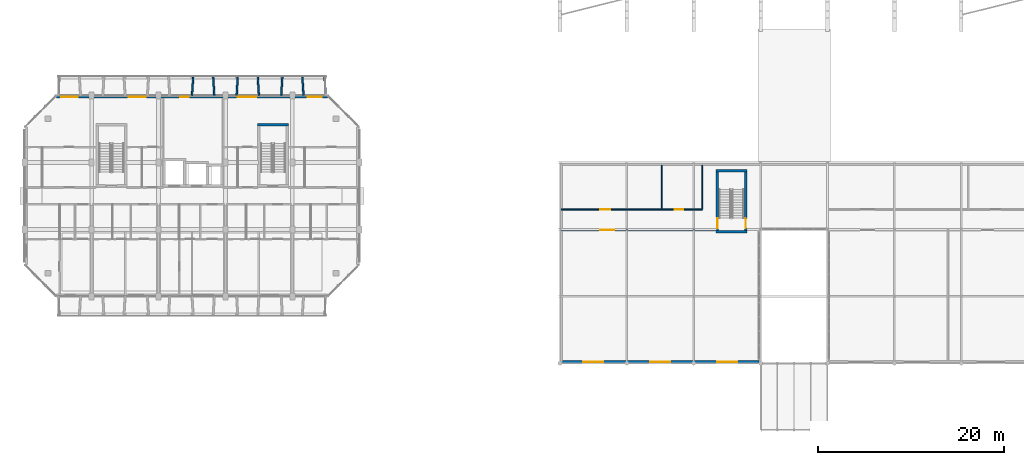
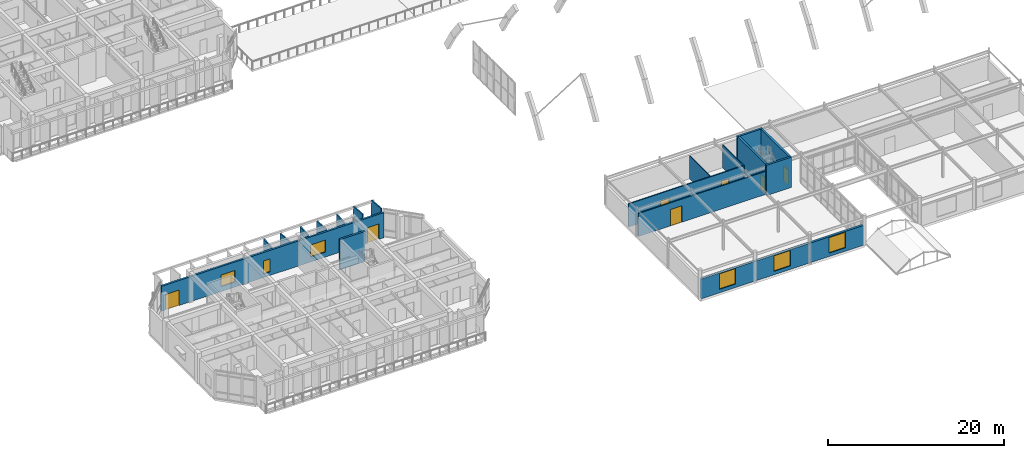
# One storey, part 49 of 85: 18 walls, 7 doors, 6 windows, 13 openings.
"""IFC4 building model written with IfcOpenShell, lengths in metres."""

from ifc_helpers import new_model, si_unit, direction, frame, frame_2d, origin, place, context, subcontext, project, spatial, rectangle, extrude, material, layer, layer_set, type_object, element, fill, save


model = new_model("IFC4")

# Units and contexts
model_context = context("Model", 3, precision=1e-05, world=origin(), true_north=direction((0.0, 1.0)))
body_context = subcontext(model_context, "Body", "Model", "MODEL_VIEW")
ifc_project = project(units=[si_unit("LENGTHUNIT", "METRE"), si_unit("AREAUNIT", "SQUARE_METRE"), si_unit("VOLUMEUNIT", "CUBIC_METRE"), si_unit("PLANEANGLEUNIT", "RADIAN"), si_unit("MASSUNIT", "GRAM", prefix="KILO")], contexts=[model_context])

# Site, building, storey
site_placement = place(None, origin())
site = spatial("IfcSite", under=ifc_project, at=site_placement, CompositionType="ELEMENT")
building_placement = place(site_placement, origin())
building = spatial("IfcBuilding", under=site, at=building_placement, Name="Ochrevale Crest", CompositionType="ELEMENT")
storey_placement = place(building_placement, frame((0.0, 0.0, 4.5)))
storey = spatial("IfcBuildingStorey", under=building, at=storey_placement, Name="L01", CompositionType="ELEMENT", Elevation=4.5)

# Wall, opening, door
ifc_material_1 = material(Name="Gypsum plasterboard", Category="gypsum")
ifc_layer_1 = layer(ifc_material_1, 0.139892578125)
ifc_layer_set_1 = layer_set([ifc_layer_1], Name="Gypsum plasterboard")
wall_type_1 = type_object("IfcWallType", Name="WL-COR-140", PredefinedType="PARTITIONING", material=ifc_layer_set_1)
wall_1_placement = place(storey_placement, frame((57.739990234375, 21.550048828125, 0.0), z_axis=(0.0, 0.0, 1.0), x_axis=(1.0, 0.0, 0.0)))
wall_1 = element("IfcWall", 1, at=wall_1_placement, inside=storey, type_object=wall_type_1, Name="Lounge north wall", PredefinedType="PARTITIONING", context=body_context, shape_type="SweptSolid", body=[
    extrude(rectangle(XDim=16.7099609375, YDim=0.139892578125, at=frame_2d((8.35498046875, 0.0))), origin(), (0.0, 0.0, 1.0), 3.199951171875),
])
opening_1_placement = place(wall_1_placement, frame((4.199951171875, 0.0, 0.0)))
opening_1 = element("IfcOpeningElement", 2, at=opening_1_placement, cuts=wall_1, Name="Opening ID11", PredefinedType="OPENING", context=body_context, shape_type="SweptSolid", body=[
    extrude(rectangle(XDim=1.5, YDim=2.280029296875, at=frame_2d((0.75, 1.14013671875))), frame((0.0, 0.080078125, 0.0), z_axis=(0.0, -1.0, 0.0), x_axis=(1.0, 0.0, 0.0)), (0.0, 0.0, 1.0), 0.159912109375),
])
ifc_material_2 = material(Name="Solid-core FSC hardwood", Category="wood")
door_type_1 = type_object("IfcDoorType", Name="DR-INT-1500", OperationType="NOTDEFINED", PredefinedType="DOOR", material=ifc_material_2)
door_1_placement = place(opening_1_placement, origin())
door_1 = element("IfcDoor", 3, at=door_1_placement, inside=storey, type_object=door_type_1, Name="Residents Lounge door", OperationType="DOUBLE_DOOR_SINGLE_SWING", OverallHeight=2.280029296875, OverallWidth=1.5, PredefinedType="DOOR", context=body_context, shape_type="SweptSolid", body=[
    extrude(rectangle(XDim=1.5, YDim=2.280029296875, at=frame_2d((0.75, 1.14013671875))), frame((0.0, 0.02490234375, 0.0), z_axis=(0.0, -1.0, 0.0), x_axis=(1.0, 0.0, 0.0)), (0.0, 0.0, 1.0), 0.050048828125),
])
fill(opening_1, door_1)

# Wall, openings, doors
wall_2_placement = place(storey_placement, frame((57.739990234375, 23.75, 0.0), z_axis=(0.0, 0.0, 1.0), x_axis=(1.0, 0.0, 0.0)))
wall_2 = element("IfcWall", 4, at=wall_2_placement, inside=storey, type_object=wall_type_1, Name="Boardroom corridor wall", PredefinedType="PARTITIONING", context=body_context, shape_type="SweptSolid", body=[
    extrude(rectangle(XDim=15.159912109375, YDim=0.139892578125, at=frame_2d((7.580078125, 0.0))), origin(), (0.0, 0.0, 1.0), 3.199951171875),
])
opening_2_placement = place(wall_2_placement, frame((5.300048828125, 0.0, 0.0), z_axis=(0.0, 0.0, 1.0), x_axis=(-1.0, 0.0, 0.0)))
opening_2 = element("IfcOpeningElement", 5, at=opening_2_placement, cuts=wall_2, Name="Opening ID08", PredefinedType="OPENING", context=body_context, shape_type="SweptSolid", body=[
    extrude(rectangle(XDim=1.10009765625, YDim=2.14990234375, at=frame_2d((0.550048828125, 1.074951171875))), frame((0.0, 0.080078125, 0.0), z_axis=(0.0, -1.0, 0.0), x_axis=(1.0, 0.0, 0.0)), (0.0, 0.0, 1.0), 0.159912109375),
])
opening_3_placement = place(wall_2_placement, frame((12.199951171875, 0.0, 0.0)))
opening_3 = element("IfcOpeningElement", 6, at=opening_3_placement, cuts=wall_2, Name="Opening ID05", PredefinedType="OPENING", context=body_context, shape_type="SweptSolid", body=[
    extrude(rectangle(XDim=0.949951171875, YDim=2.1201171875, at=frame_2d((0.47509765625, 1.06005859375))), frame((0.0, 0.080078125, 0.0), z_axis=(0.0, -1.0, 0.0), x_axis=(1.0, 0.0, 0.0)), (0.0, 0.0, 1.0), 0.159912109375),
])
door_type_2 = type_object("IfcDoorType", Name="DR-INT-1100", OperationType="NOTDEFINED", PredefinedType="DOOR", material=ifc_material_2)
door_2_placement = place(opening_2_placement, origin())
door_2 = element("IfcDoor", 7, at=door_2_placement, inside=storey, type_object=door_type_2, Name="Cooperative Boardroom door", OperationType="SINGLE_SWING_RIGHT", OverallHeight=2.14990234375, OverallWidth=1.10009765625, PredefinedType="DOOR", context=body_context, shape_type="SweptSolid", body=[
    extrude(rectangle(XDim=1.10009765625, YDim=2.14990234375, at=frame_2d((0.550048828125, 1.074951171875))), frame((0.0, 0.02490234375, 0.0), z_axis=(0.0, -1.0, 0.0), x_axis=(1.0, 0.0, 0.0)), (0.0, 0.0, 1.0), 0.050048828125),
])
fill(opening_2, door_2)
door_type_3 = type_object("IfcDoorType", Name="DR-WC-950", OperationType="NOTDEFINED", PredefinedType="DOOR", material=ifc_material_2)
door_3_placement = place(opening_3_placement, origin())
door_3 = element("IfcDoor", 8, at=door_3_placement, inside=storey, type_object=door_type_3, Name="Lounge Accessible WC door", OperationType="SINGLE_SWING_LEFT", OverallHeight=2.1201171875, OverallWidth=0.949951171875, PredefinedType="DOOR", context=body_context, shape_type="SweptSolid", body=[
    extrude(rectangle(XDim=0.949951171875, YDim=2.1201171875, at=frame_2d((0.47509765625, 1.06005859375))), frame((0.0, 0.02490234375, 0.0), z_axis=(0.0, -1.0, 0.0), x_axis=(1.0, 0.0, 0.0)), (0.0, 0.0, 1.0), 0.050048828125),
])
fill(opening_3, door_3)

# Walls
ifc_material_3 = material(Name="Precast concrete C50/60", Category="concrete")
ifc_layer_2 = layer(ifc_material_3, 0.2548828125)
ifc_layer_set_2 = layer_set([ifc_layer_2], Name="Precast concrete C50/60")
wall_type_2 = type_object("IfcWallType", Name="WL-CORE-255", PredefinedType="SHEAR", material=ifc_layer_set_2)
for number, where, z_axis, x_axis, name in (
    (9, (25.072509765625, 32.85009765625, 0.0), (0.0, 0.0, 1.0), (1.0, 0.0, 0.0), "Block A L01 Stair 2 precast core shear wall N"),
    (10, (74.422607421875, 21.35009765625, 0.0), (0.0, 0.0, 1.0), (1.0, 0.0, 0.0), "Retail stair core wall L01-S"),
    (11, (74.422607421875, 27.89990234375, 0.0), (0.0, 0.0, 1.0), (1.0, 0.0, 0.0), "Retail stair core wall L01-N"),
):
    element("IfcWall", number, at=place(storey_placement, frame(where, z_axis=z_axis, x_axis=x_axis)), inside=storey, type_object=wall_type_2, Name=name, PredefinedType="SHEAR", context=body_context, shape_type="SweptSolid", body=[
        extrude(rectangle(XDim=3.304931640625, YDim=0.2548828125, at=frame_2d((1.65234375, 0.0))), origin(), (0.0, 0.0, 1.0), 4.199951171875),
    ])

# Wall, opening, door
wall_3_placement = place(storey_placement, frame((74.550048828125, 21.4775390625, 0.0), z_axis=(0.0, 0.0, 1.0), x_axis=(0.0, 1.0, 0.0)))
wall_3 = element("IfcWall", 12, at=wall_3_placement, inside=storey, type_object=wall_type_2, Name="Retail stair core wall L01-W", PredefinedType="SHEAR", context=body_context, shape_type="SweptSolid", body=[
    extrude(rectangle(XDim=6.294921875, YDim=0.2548828125, at=frame_2d((3.1474609375, 0.0))), origin(), (0.0, 0.0, 1.0), 4.199951171875),
])
opening_4_placement = place(wall_3_placement, frame((0.25, 0.0, 0.0)))
opening_4 = element("IfcOpeningElement", 13, at=opening_4_placement, cuts=wall_3, Name="Opening FD03", PredefinedType="OPENING", context=body_context, shape_type="SweptSolid", body=[
    extrude(rectangle(XDim=1.050048828125, YDim=2.1201171875, at=frame_2d((0.52490234375, 1.06005859375))), frame((0.0, 0.137451171875, 0.0), z_axis=(0.0, -1.0, 0.0), x_axis=(1.0, 0.0, 0.0)), (0.0, 0.0, 1.0), 0.27490234375),
])
door_type_4 = type_object("IfcDoorType", Name="DR-ST-1050", OperationType="NOTDEFINED", PredefinedType="DOOR", material=ifc_material_2)
door_4_placement = place(opening_4_placement, origin())
door_4 = element("IfcDoor", 14, at=door_4_placement, inside=storey, type_object=door_type_4, Name="Retail stair ST-R1 L01 door", OperationType="SINGLE_SWING_LEFT", OverallHeight=2.1201171875, OverallWidth=1.050048828125, PredefinedType="DOOR", context=body_context, shape_type="SweptSolid", body=[
    extrude(rectangle(XDim=1.050048828125, YDim=2.1201171875, at=frame_2d((0.52490234375, 1.06005859375))), frame((0.0, 0.02490234375, 0.0), z_axis=(0.0, -1.0, 0.0), x_axis=(1.0, 0.0, 0.0)), (0.0, 0.0, 1.0), 0.050048828125),
])
fill(opening_4, door_4)

wall_4_placement = place(storey_placement, frame((77.60009765625, 21.4775390625, 0.0), z_axis=(0.0, 0.0, 1.0), x_axis=(0.0, 1.0, 0.0)))
wall_4 = element("IfcWall", 15, at=wall_4_placement, inside=storey, type_object=wall_type_2, Name="Retail stair core wall L01-E", PredefinedType="SHEAR", context=body_context, shape_type="SweptSolid", body=[
    extrude(rectangle(XDim=6.294921875, YDim=0.2548828125, at=frame_2d((3.1474609375, 0.0))), origin(), (0.0, 0.0, 1.0), 4.199951171875),
])
opening_5_placement = place(wall_4_placement, frame((1.300048828125, 0.0, 0.0), z_axis=(0.0, 0.0, 1.0), x_axis=(-1.0, 0.0, 0.0)))
opening_5 = element("IfcOpeningElement", 16, at=opening_5_placement, cuts=wall_4, Name="Opening FD03", PredefinedType="OPENING", context=body_context, shape_type="SweptSolid", body=[
    extrude(rectangle(XDim=1.050048828125, YDim=2.1201171875, at=frame_2d((0.52490234375, 1.06005859375))), frame((0.0, 0.137451171875, 0.0), z_axis=(0.0, -1.0, 0.0), x_axis=(1.0, 0.0, 0.0)), (0.0, 0.0, 1.0), 0.27490234375),
])
door_5_placement = place(opening_5_placement, origin())
door_5 = element("IfcDoor", 17, at=door_5_placement, inside=storey, type_object=door_type_4, Name="Retail stair ST-R1 L01 east gallery door", OperationType="SINGLE_SWING_RIGHT", OverallHeight=2.1201171875, OverallWidth=1.050048828125, PredefinedType="DOOR", context=body_context, shape_type="SweptSolid", body=[
    extrude(rectangle(XDim=1.050048828125, YDim=2.1201171875, at=frame_2d((0.52490234375, 1.06005859375))), frame((0.0, 0.02490234375, 0.0), z_axis=(0.0, -1.0, 0.0), x_axis=(1.0, 0.0, 0.0)), (0.0, 0.0, 1.0), 0.050048828125),
])
fill(opening_5, door_5)

# Wall, openings, windows
ifc_material_4 = material(Name="Clay face brickwork", Category="masonry")
ifc_layer_3 = layer(ifc_material_4, 0.2900390625)
ifc_layer_set_3 = layer_set([ifc_layer_3], Name="Clay face brickwork")
wall_type_3 = type_object("IfcWallType", Name="WL-EXT-BRICK-290", PredefinedType="SOLIDWALL", material=ifc_layer_set_3)
wall_5_placement = place(storey_placement, frame((57.75, 7.35009765625, 0.0), z_axis=(0.0, 0.0, 1.0), x_axis=(1.0, 0.0, 0.0)))
wall_5 = element("IfcWall", 18, at=wall_5_placement, inside=storey, type_object=wall_type_3, Name="Residents Lounge south brick wall", PredefinedType="SOLIDWALL", context=body_context, shape_type="SweptSolid", body=[
    extrude(rectangle(XDim=21.300048828125, YDim=0.2900390625, at=frame_2d((10.64990234375, 0.0))), origin(), (0.0, 0.0, 1.0), 2.739990234375),
])
opening_6_placement = place(wall_5_placement, frame((2.375, 0.0, 0.47998046875)))
opening_6 = element("IfcOpeningElement", 19, at=opening_6_placement, cuts=wall_5, Name="Opening W25", PredefinedType="OPENING", context=body_context, shape_type="SweptSolid", body=[
    extrude(rectangle(XDim=2.14990234375, YDim=2.14990234375, at=frame_2d((1.074951171875, 1.074951171875))), frame((0.0, 0.155029296875, 0.0), z_axis=(0.0, -1.0, 0.0), x_axis=(1.0, 0.0, 0.0)), (0.0, 0.0, 1.0), 0.31005859375),
])
opening_7_placement = place(wall_5_placement, frame((9.574951171875, 0.0, 0.47998046875)))
opening_7 = element("IfcOpeningElement", 20, at=opening_7_placement, cuts=wall_5, Name="Opening W25", PredefinedType="OPENING", context=body_context, shape_type="SweptSolid", body=[
    extrude(rectangle(XDim=2.14990234375, YDim=2.14990234375, at=frame_2d((1.074951171875, 1.074951171875))), frame((0.0, 0.155029296875, 0.0), z_axis=(0.0, -1.0, 0.0), x_axis=(1.0, 0.0, 0.0)), (0.0, 0.0, 1.0), 0.31005859375),
])
opening_8_placement = place(wall_5_placement, frame((16.77490234375, 0.0, 0.47998046875)))
opening_8 = element("IfcOpeningElement", 21, at=opening_8_placement, cuts=wall_5, Name="Opening W25", PredefinedType="OPENING", context=body_context, shape_type="SweptSolid", body=[
    extrude(rectangle(XDim=2.14990234375, YDim=2.14990234375, at=frame_2d((1.074951171875, 1.074951171875))), frame((0.0, 0.155029296875, 0.0), z_axis=(0.0, -1.0, 0.0), x_axis=(1.0, 0.0, 0.0)), (0.0, 0.0, 1.0), 0.31005859375),
])
ifc_material_5 = material(Name="Anodised aluminium 6063-T5 and low-E double glazing", Category="aluminium")
window_type_1 = type_object("IfcWindowType", Name="WIN-W25", PartitioningType="SINGLE_PANEL", PredefinedType="WINDOW", material=ifc_material_5)
window_1_placement = place(opening_6_placement, origin())
window_1 = element("IfcWindow", 22, at=window_1_placement, inside=storey, type_object=window_type_1, Name="Residents Lounge boulevard window 1", OverallHeight=2.14990234375, OverallWidth=2.14990234375, PartitioningType="SINGLE_PANEL", PredefinedType="WINDOW", context=body_context, shape_type="SweptSolid", body=[
    extrude(rectangle(XDim=2.14990234375, YDim=2.14990234375, at=frame_2d((1.074951171875, 1.074951171875))), frame((0.0, 0.030029296875, 0.0), z_axis=(0.0, -1.0, 0.0), x_axis=(1.0, 0.0, 0.0)), (0.0, 0.0, 1.0), 0.06005859375),
])
fill(opening_6, window_1)
window_2_placement = place(opening_7_placement, origin())
window_2 = element("IfcWindow", 23, at=window_2_placement, inside=storey, type_object=window_type_1, Name="Residents Lounge boulevard window 2", OverallHeight=2.14990234375, OverallWidth=2.14990234375, PartitioningType="SINGLE_PANEL", PredefinedType="WINDOW", context=body_context, shape_type="SweptSolid", body=[
    extrude(rectangle(XDim=2.14990234375, YDim=2.14990234375, at=frame_2d((1.074951171875, 1.074951171875))), frame((0.0, 0.030029296875, 0.0), z_axis=(0.0, -1.0, 0.0), x_axis=(1.0, 0.0, 0.0)), (0.0, 0.0, 1.0), 0.06005859375),
])
fill(opening_7, window_2)
window_3_placement = place(opening_8_placement, origin())
window_3 = element("IfcWindow", 24, at=window_3_placement, inside=storey, type_object=window_type_1, Name="Residents Lounge boulevard window 3", OverallHeight=2.14990234375, OverallWidth=2.14990234375, PartitioningType="SINGLE_PANEL", PredefinedType="WINDOW", context=body_context, shape_type="SweptSolid", body=[
    extrude(rectangle(XDim=2.14990234375, YDim=2.14990234375, at=frame_2d((1.074951171875, 1.074951171875))), frame((0.0, 0.030029296875, 0.0), z_axis=(0.0, -1.0, 0.0), x_axis=(1.0, 0.0, 0.0)), (0.0, 0.0, 1.0), 0.06005859375),
])
fill(opening_8, window_3)

# Wall, openings, doors, windows
ifc_material_6 = material(Name="Precast concrete C40/50", Category="concrete")
ifc_layer_4 = layer(ifc_material_6, 0.25)
ifc_layer_set_4 = layer_set([ifc_layer_4], Name="Precast concrete C40/50")
wall_type_4 = type_object("IfcWallType", Name="WL-EXT-GOLD-250", PredefinedType="SOLIDWALL", material=ifc_layer_set_4)
wall_6_placement = place(storey_placement, frame((32.60009765625, 35.875, 0.0), z_axis=(0.0, 0.0, 1.0), x_axis=(-1.0, 0.0, 0.0)))
wall_6 = element("IfcWall", 25, at=wall_6_placement, inside=storey, type_object=wall_type_4, Name="Block A L01 external facade wall E5", PredefinedType="SOLIDWALL", context=body_context, shape_type="SweptSolid", body=[
    extrude(rectangle(XDim=29.2001953125, YDim=0.25, at=frame_2d((14.60009765625, 0.0))), origin(), (0.0, 0.0, 1.0), 3.47998046875),
])
opening_9_placement = place(wall_6_placement, frame((28.699951171875, 0.0, 0.0), z_axis=(0.0, 0.0, 1.0), x_axis=(-1.0, 0.0, 0.0)))
opening_9 = element("IfcOpeningElement", 26, at=opening_9_placement, cuts=wall_6, Name="Opening BD03", PredefinedType="OPENING", context=body_context, shape_type="SweptSolid", body=[
    extrude(rectangle(XDim=1.800048828125, YDim=2.14990234375, at=frame_2d((0.89990234375, 1.074951171875))), frame((0.0, 0.135009765625, 0.0), z_axis=(0.0, -1.0, 0.0), x_axis=(1.0, 0.0, 0.0)), (0.0, 0.0, 1.0), 0.27001953125),
])
opening_10_placement = place(wall_6_placement, frame((2.14990234375, 0.0, 0.0), z_axis=(0.0, 0.0, 1.0), x_axis=(-1.0, 0.0, 0.0)))
opening_10 = element("IfcOpeningElement", 27, at=opening_10_placement, cuts=wall_6, Name="Opening BD01", PredefinedType="OPENING", context=body_context, shape_type="SweptSolid", body=[
    extrude(rectangle(XDim=1.5, YDim=2.14990234375, at=frame_2d((0.75, 1.074951171875))), frame((0.0, 0.135009765625, 0.0), z_axis=(0.0, -1.0, 0.0), x_axis=(1.0, 0.0, 0.0)), (0.0, 0.0, 1.0), 0.27001953125),
])
opening_11_placement = place(wall_6_placement, frame((14.955078125, 0.0, 0.5)))
opening_11 = element("IfcOpeningElement", 28, at=opening_11_placement, cuts=wall_6, Name="Opening W17", PredefinedType="OPENING", context=body_context, shape_type="SweptSolid", body=[
    extrude(rectangle(XDim=0.89990234375, YDim=1.800048828125, at=frame_2d((0.449951171875, 0.89990234375))), frame((0.0, 0.135009765625, 0.0), z_axis=(0.0, -1.0, 0.0), x_axis=(1.0, 0.0, 0.0)), (0.0, 0.0, 1.0), 0.27001953125),
])
opening_12_placement = place(wall_6_placement, frame((7.675048828125, 0.0, 0.699951171875)))
opening_12 = element("IfcOpeningElement", 29, at=opening_12_placement, cuts=wall_6, Name="Opening W12", PredefinedType="OPENING", context=body_context, shape_type="SweptSolid", body=[
    extrude(rectangle(XDim=2.0, YDim=1.64990234375, at=frame_2d((1.0, 0.824951171875))), frame((0.0, 0.135009765625, 0.0), z_axis=(0.0, -1.0, 0.0), x_axis=(1.0, 0.0, 0.0)), (0.0, 0.0, 1.0), 0.27001953125),
])
opening_13_placement = place(wall_6_placement, frame((19.570068359375, 0.0, 0.699951171875)))
opening_13 = element("IfcOpeningElement", 30, at=opening_13_placement, cuts=wall_6, Name="Opening W11", PredefinedType="OPENING", context=body_context, shape_type="SweptSolid", body=[
    extrude(rectangle(XDim=1.860107421875, YDim=1.60009765625, at=frame_2d((0.93017578125, 0.800048828125))), frame((0.0, 0.135009765625, 0.0), z_axis=(0.0, -1.0, 0.0), x_axis=(1.0, 0.0, 0.0)), (0.0, 0.0, 1.0), 0.27001953125),
])
ifc_material_7 = material(Name="Anodised aluminium 6063-T5 and toughened glass", Category="aluminium")
door_type_5 = type_object("IfcDoorType", Name="DR-BAL-1500", OperationType="NOTDEFINED", PredefinedType="DOOR", material=ifc_material_7)
door_6_placement = place(opening_10_placement, origin())
door_6 = element("IfcDoor", 31, at=door_6_placement, inside=storey, type_object=door_type_5, Name="Block A L01 balcony door N5", OperationType="SINGLE_SWING_RIGHT", OverallHeight=2.14990234375, OverallWidth=1.5, PredefinedType="DOOR", context=body_context, shape_type="SweptSolid", body=[
    extrude(rectangle(XDim=1.5, YDim=2.14990234375, at=frame_2d((0.75, 1.074951171875))), frame((0.0, 0.02490234375, 0.0), z_axis=(0.0, -1.0, 0.0), x_axis=(1.0, 0.0, 0.0)), (0.0, 0.0, 1.0), 0.050048828125),
])
fill(opening_10, door_6)
door_type_6 = type_object("IfcDoorType", Name="DR-BAL-1800", OperationType="NOTDEFINED", PredefinedType="DOOR", material=ifc_material_7)
door_7_placement = place(opening_9_placement, origin())
door_7 = element("IfcDoor", 32, at=door_7_placement, inside=storey, type_object=door_type_6, Name="Block A L01 balcony door N1", OperationType="SINGLE_SWING_LEFT", OverallHeight=2.14990234375, OverallWidth=1.800048828125, PredefinedType="DOOR", context=body_context, shape_type="SweptSolid", body=[
    extrude(rectangle(XDim=1.800048828125, YDim=2.14990234375, at=frame_2d((0.89990234375, 1.074951171875))), frame((0.0, 0.02490234375, 0.0), z_axis=(0.0, -1.0, 0.0), x_axis=(1.0, 0.0, 0.0)), (0.0, 0.0, 1.0), 0.050048828125),
])
fill(opening_9, door_7)
window_type_2 = type_object("IfcWindowType", Name="WIN-W11", PartitioningType="SINGLE_PANEL", PredefinedType="WINDOW", material=ifc_material_5)
window_4_placement = place(opening_13_placement, origin())
window_4 = element("IfcWindow", 33, at=window_4_placement, inside=storey, type_object=window_type_2, Name="Block A L01 Suite A-L01-MW Courtyard Studio Living window", OverallHeight=1.60009765625, OverallWidth=1.860107421875, PartitioningType="SINGLE_PANEL", PredefinedType="WINDOW", context=body_context, shape_type="SweptSolid", body=[
    extrude(rectangle(XDim=1.860107421875, YDim=1.60009765625, at=frame_2d((0.93017578125, 0.800048828125))), frame((0.0, 0.030029296875, 0.0), z_axis=(0.0, -1.0, 0.0), x_axis=(1.0, 0.0, 0.0)), (0.0, 0.0, 1.0), 0.06005859375),
])
fill(opening_13, window_4)
window_type_3 = type_object("IfcWindowType", Name="WIN-W12", PartitioningType="SINGLE_PANEL", PredefinedType="WINDOW", material=ifc_material_5)
window_5_placement = place(opening_12_placement, origin())
window_5 = element("IfcWindow", 34, at=window_5_placement, inside=storey, type_object=window_type_3, Name="Block A L01 Suite A-L01-ME Garden Alcove Studio window", OverallHeight=1.64990234375, OverallWidth=2.0, PartitioningType="SINGLE_PANEL", PredefinedType="WINDOW", context=body_context, shape_type="SweptSolid", body=[
    extrude(rectangle(XDim=2.0, YDim=1.64990234375, at=frame_2d((1.0, 0.824951171875))), frame((0.0, 0.030029296875, 0.0), z_axis=(0.0, -1.0, 0.0), x_axis=(1.0, 0.0, 0.0)), (0.0, 0.0, 1.0), 0.06005859375),
])
fill(opening_12, window_5)
window_type_4 = type_object("IfcWindowType", Name="WIN-W17", PartitioningType="SINGLE_PANEL", PredefinedType="WINDOW", material=ifc_material_5)
window_6_placement = place(opening_11_placement, origin())
window_6 = element("IfcWindow", 35, at=window_6_placement, inside=storey, type_object=window_type_4, Name="Block A L01 core lancet window", OverallHeight=1.800048828125, OverallWidth=0.89990234375, PartitioningType="SINGLE_PANEL", PredefinedType="WINDOW", context=body_context, shape_type="SweptSolid", body=[
    extrude(rectangle(XDim=0.89990234375, YDim=1.800048828125, at=frame_2d((0.449951171875, 0.89990234375))), frame((0.0, 0.030029296875, 0.0), z_axis=(0.0, -1.0, 0.0), x_axis=(1.0, 0.0, 0.0)), (0.0, 0.0, 1.0), 0.06005859375),
])
fill(opening_11, window_6)

# Walls
ifc_layer_5 = layer(ifc_material_6, 0.1650390625)
ifc_layer_set_5 = layer_set([ifc_layer_5], Name="Precast concrete C40/50")
wall_type_5 = type_object("IfcWallType", Name="WL-HC-CHEEK-165", PredefinedType="ELEMENTEDWALL", material=ifc_layer_set_5)
for number, where, z_axis, x_axis, name in (
    (36, (18.0, 36.02001953125, 0.0), (0.0, 0.0, 1.0), (0.061170732449, 0.998127317276, 0.0), "Block A L01 N precast honeycomb cheek 7"),
    (37, (20.39990234375, 36.02001953125, 0.0), (0.0, 0.0, 1.0), (-0.061046865508, 0.998134900808, 0.0), "Block A L01 N precast honeycomb cheek 8"),
):
    element("IfcWall", number, at=place(storey_placement, frame(where, z_axis=z_axis, x_axis=x_axis)), inside=storey, type_object=wall_type_5, Name=name, PredefinedType="ELEMENTEDWALL", context=body_context, shape_type="SweptSolid", body=[
        extrude(rectangle(XDim=1.963623046875, YDim=0.1650390625, at=frame_2d((0.98193359375, 0.0))), origin(), (0.0, 0.0, 1.0), 3.60009765625),
    ])
for number, where, z_axis, x_axis, name in (
    (38, (22.800048828125, 36.02001953125, 0.0), (0.0, 0.0, 1.0), (0.061046865508, 0.998134900808, 0.0), "Block A L01 N precast honeycomb cheek 9"),
    (39, (25.199951171875, 36.02001953125, 0.0), (0.0, 0.0, 1.0), (-0.061046865508, 0.998134900808, 0.0), "Block A L01 N precast honeycomb cheek 10"),
    (40, (27.60009765625, 36.02001953125, 0.0), (0.0, 0.0, 1.0), (0.061046865508, 0.998134900808, 0.0), "Block A L01 N precast honeycomb cheek 11"),
):
    element("IfcWall", number, at=place(storey_placement, frame(where, z_axis=z_axis, x_axis=x_axis)), inside=storey, type_object=wall_type_5, Name=name, PredefinedType="ELEMENTEDWALL", context=body_context, shape_type="SweptSolid", body=[
        extrude(rectangle(XDim=1.963623046875, YDim=0.1650390625, at=frame_2d((0.98193359375, 0.0))), origin(), (0.0, 0.0, 1.0), 3.6298828125),
    ])
wall_7_placement = place(storey_placement, frame((30.0, 36.02001953125, 0.0), z_axis=(0.0, 0.0, 1.0), x_axis=(-0.061170732449, 0.998127317276, 0.0)))
element("IfcWall", 41, at=wall_7_placement, inside=storey, type_object=wall_type_5, Name="Block A L01 N precast honeycomb cheek 12", PredefinedType="ELEMENTEDWALL", context=body_context, shape_type="SweptSolid", body=[
    extrude(rectangle(XDim=1.963623046875, YDim=0.1650390625, at=frame_2d((0.98193359375, 0.0))), origin(), (0.0, 0.0, 1.0), 4.0),
])
wall_8_placement = place(storey_placement, frame((32.39990234375, 36.02001953125, 0.0), z_axis=(0.0, 0.0, 1.0), x_axis=(-0.071194071069, 0.997462482625, 0.0)))
element("IfcWall", 42, at=wall_8_placement, inside=storey, type_object=wall_type_5, Name="Block A L01 N precast honeycomb cheek 13", PredefinedType="ELEMENTEDWALL", context=body_context, shape_type="SweptSolid", body=[
    extrude(rectangle(XDim=1.96484375, YDim=0.1650390625, at=frame_2d((0.982421875, 0.0))), origin(), (0.0, 0.0, 1.0), 4.0),
])
ifc_layer_6 = layer(ifc_material_1, 0.1201171875)
ifc_layer_set_6 = layer_set([ifc_layer_6], Name="Gypsum plasterboard")
wall_type_6 = type_object("IfcWallType", Name="WL-PART-120", PredefinedType="PARTITIONING", material=ifc_layer_set_6)
for number, where, z_axis, x_axis, name in (
    (43, (68.550048828125, 23.75, 0.0), (0.0, 0.0, 1.0), (0.0, 1.0, 0.0), "Boardroom-WC wall"),
    (44, (72.89990234375, 23.75, 0.0), (0.0, 0.0, 1.0), (0.0, 1.0, 0.0), "Lounge WC east wall"),
):
    element("IfcWall", number, at=place(storey_placement, frame(where, z_axis=z_axis, x_axis=x_axis)), inside=storey, type_object=wall_type_6, Name=name, PredefinedType="PARTITIONING", context=body_context, shape_type="SweptSolid", body=[
        extrude(rectangle(XDim=4.75, YDim=0.1201171875, at=frame_2d((2.375, 0.0))), origin(), (0.0, 0.0, 1.0), 3.199951171875),
    ])

save(model, "model.ifc")
